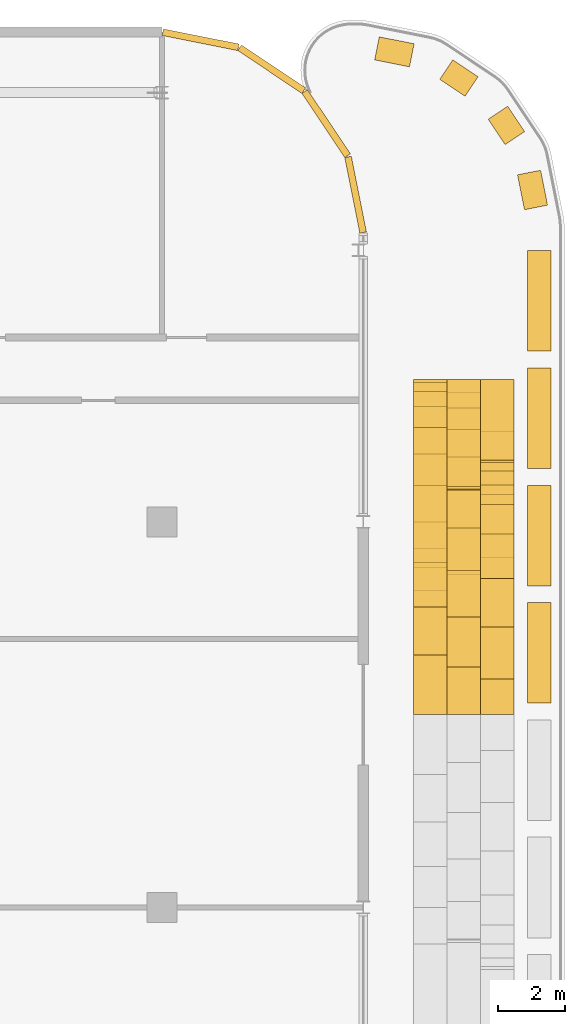
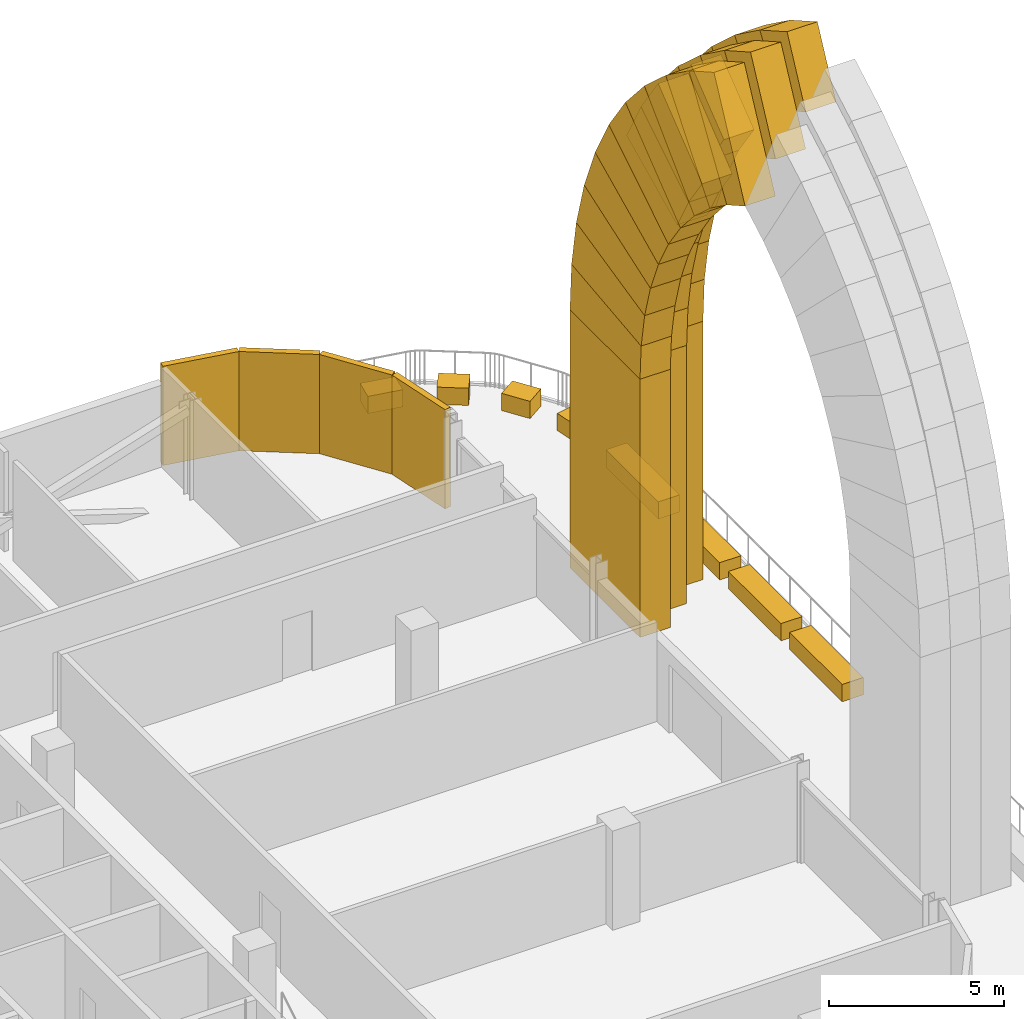
# One storey, part 30 of 30: 45 coverings.
"""IFC4 building model written with IfcOpenShell, lengths in metres."""

from ifc_helpers import new_model, si_unit, direction, frame, origin, origin_2d, place, context, subcontext, project, spatial, polyline, rectangle, outline, extrude, material, layer, layer_set, type_object, element, save


model = new_model("IFC4")

# Units and contexts
model_context = context("Model", 3, precision=1e-05, world=origin(), true_north=direction((0.0, 1.0)))
body_context = subcontext(model_context, "Body", "Model", "MODEL_VIEW")
ifc_project = project(units=[si_unit("LENGTHUNIT", "METRE"), si_unit("AREAUNIT", "SQUARE_METRE"), si_unit("VOLUMEUNIT", "CUBIC_METRE"), si_unit("PLANEANGLEUNIT", "RADIAN"), si_unit("MASSUNIT", "GRAM", prefix="KILO")], contexts=[model_context])

# Site, building, storey
site_placement = place(None, origin())
site = spatial("IfcSite", under=ifc_project, at=site_placement, CompositionType="ELEMENT")
building_placement = place(site_placement, origin())
building = spatial("IfcBuilding", under=site, at=building_placement, Name="Mahtab Terrace Research Tower", CompositionType="ELEMENT")
storey_placement = place(building_placement, frame((0.0, 0.0, 263.300048828125)))
storey = spatial("IfcBuildingStorey", under=building, at=storey_placement, Name="L64", CompositionType="ELEMENT", Elevation=263.300048828125)

# Coverings
ifc_material_1 = material(Name="Black aluminium cladding panel", Category="aluminium")
ifc_layer_1 = layer(ifc_material_1, 0.199951171875)
ifc_layer_set_1 = layer_set([ifc_layer_1], Name="Black metal corner cladding 200")
covering_type_1 = type_object("IfcCoveringType", Name="Black metal corner cladding 200", PredefinedType="CLADDING", material=ifc_layer_set_1)
for number, where, z_axis, x_axis, name in (
    (1, (46.89306640625, 23.381591796875, 0.0), (0.0, 0.0, 1.0), (-0.555291490808, 0.831655794326, 0.0), "Corner cladding L64 0"),
    (2, (45.26953125, 25.0048828125, 0.0), (0.0, 0.0, 1.0), (-0.831655794326, 0.555291490808, 0.0), "Corner cladding L64 1"),
    (3, (43.14794921875, 25.883544921875, 0.0), (0.0, 0.0, 1.0), (-0.980760981187, 0.195212442692, 0.0), "Corner cladding L64 2"),
    (4, (47.771484375, 21.260009765625, 0.0), (0.0, 0.0, 1.0), (-0.195212442692, 0.980760981187, 0.0), "Corner cladding L64 26"),
):
    element("IfcCovering", number, at=place(storey_placement, frame(where, z_axis=z_axis, x_axis=x_axis)), inside=storey, type_object=covering_type_1, Name=name, PredefinedType="CLADDING", context=body_context, shape_type="SweptSolid", body=[
        extrude(rectangle(XDim=2.30126953125, YDim=0.199951171875, at=origin_2d()), origin(), (0.0, 0.0, 1.0), 3.4599609375),
    ])
ifc_material_2 = material(Name="Glazed ceramic tile cladding", Category="masonry")
ifc_layer_2 = layer(ifc_material_2, 1.0)
ifc_layer_set_2 = layer_set([ifc_layer_2], Name="Iwan portal cladding arch course 800")
covering_type_2 = type_object("IfcCoveringType", Name="Iwan portal cladding arch course 800", PredefinedType="CLADDING", material=ifc_layer_set_2)
covering_1_placement = place(storey_placement, frame((49.5, 11.75, 9.030029296875), z_axis=(-1.0, 0.0, 0.0), x_axis=(0.0, -0.054985017031, 0.998487179638)))
element("IfcCovering", 5, at=covering_1_placement, inside=storey, type_object=covering_type_2, Name="Iwan portal arch course 7.1.1E1", PredefinedType="CLADDING", context=body_context, shape_type="SweptSolid", body=[
    extrude(outline(polyline([(0.0, 0.0), (1.1988351065344451, 0.0), (1.4224788276243772, 3.993191550924247), (-0.21994006812347563, 3.993948718553337), (0.0, 0.0)])), origin(), (0.0, 0.0, -1.0), 1.0),
])
covering_2_placement = place(storey_placement, frame((49.5, 11.68408203125, 10.22705078125), z_axis=(-1.0, 0.0, 0.0), x_axis=(0.0, -0.166150874454, 0.98610034323)))
element("IfcCovering", 6, at=covering_2_placement, inside=storey, type_object=covering_type_2, Name="Iwan portal arch course 7.1.1E2", PredefinedType="CLADDING", context=body_context, shape_type="SweptSolid", body=[
    extrude(outline(polyline([(0.0, 0.0), (1.197553789766393, 0.0), (1.4181135708206742, 3.994017136573441), (-0.2237100498928522, 3.9931878355435124), (0.0, 0.0)])), origin(), (0.0, 0.0, -1.0), 1.0),
])
covering_3_placement = place(storey_placement, frame((49.5, 11.485107421875, 11.407958984375), z_axis=(-1.0, 0.0, 0.0), x_axis=(0.0, -0.27445221207, 0.961600740063)))
element("IfcCovering", 7, at=covering_3_placement, inside=storey, type_object=covering_type_2, Name="Iwan portal arch course 7.1.1E3", PredefinedType="CLADDING", context=body_context, shape_type="SweptSolid", body=[
    extrude(outline(polyline([(0.0, 0.0), (1.199121552047934, -5.551115123125783e-17), (1.4190565511190025, 3.9947634671425267), (-0.2236030718774017, 3.9938479152952238), (0.0, 0.0)])), origin(), (0.0, 0.0, -1.0), 1.0),
])
covering_4_placement = place(storey_placement, frame((49.5, 11.156005859375, 12.56103515625), z_axis=(-1.0, 0.0, 0.0), x_axis=(0.0, -0.378966025683, 0.925410585296)))
element("IfcCovering", 8, at=covering_4_placement, inside=storey, type_object=covering_type_2, Name="Iwan portal arch course 7.1.1E4", PredefinedType="CLADDING", context=body_context, shape_type="SweptSolid", body=[
    extrude(outline(polyline([(0.0, 0.0), (1.1982645718225517, -5.551115123125783e-17), (1.4201917156444848, 3.9940794424534234), (-0.2225640464640124, 3.9946178549962124), (0.0, 0.0)])), origin(), (0.0, 0.0, -1.0), 1.0),
])
covering_5_placement = place(storey_placement, frame((49.5, 10.701904296875, 13.669921875), z_axis=(-1.0, 0.0, 0.0), x_axis=(0.0, -0.478952042529, 0.877841068165)))
element("IfcCovering", 9, at=covering_5_placement, inside=storey, type_object=covering_type_2, Name="Iwan portal arch course 7.1.1E5", PredefinedType="CLADDING", context=body_context, shape_type="SweptSolid", body=[
    extrude(outline(polyline([(0.0, 0.0), (1.1983968297629959, 0.0), (1.4202998293334266, 3.994376096565172), (-0.22100012408733938, 3.9941308434936618), (0.0, 0.0)])), origin(), (0.0, 0.0, -1.0), 1.0),
])
covering_6_placement = place(storey_placement, frame((49.5, 10.1279296875, 14.721923828125), z_axis=(-1.0, 0.0, 0.0), x_axis=(0.0, -0.573270912999, 0.819365889154)))
element("IfcCovering", 10, at=covering_6_placement, inside=storey, type_object=covering_type_2, Name="Iwan portal arch course 7.1.1E6", PredefinedType="CLADDING", context=body_context, shape_type="SweptSolid", body=[
    extrude(outline(polyline([(0.0, 0.0), (1.1984067273820767, 1.1102230246251565e-16), (1.4210686151577359, 3.994143713161765), (-0.22205539999335344, 3.9943676272175255), (0.0, 0.0)])), origin(), (0.0, 0.0, -1.0), 1.0),
])
covering_7_placement = place(storey_placement, frame((49.5, 9.44091796875, 15.703857421875), z_axis=(-1.0, 0.0, 0.0), x_axis=(0.0, -0.660563628093, 0.750770066825)))
element("IfcCovering", 11, at=covering_7_placement, inside=storey, type_object=covering_type_2, Name="Iwan portal arch course 7.1.1E7", PredefinedType="CLADDING", context=body_context, shape_type="SweptSolid", body=[
    extrude(outline(polyline([(0.0, 0.0), (1.1989642690229376, 0.0), (1.4208619727254268, 3.9940701767119156), (-0.22145580088595218, 3.9942107663356263), (0.0, 0.0)])), origin(), (0.0, 0.0, -1.0), 1.0),
])
covering_8_placement = place(storey_placement, frame((49.5, 8.64892578125, 16.60400390625), z_axis=(-1.0, 0.0, 0.0), x_axis=(0.0, -0.739746345725, 0.672885832802)))
element("IfcCovering", 12, at=covering_8_placement, inside=storey, type_object=covering_type_2, Name="Iwan portal arch course 7.1.1E8", PredefinedType="CLADDING", context=body_context, shape_type="SweptSolid", body=[
    extrude(outline(polyline([(0.0, 0.0), (1.197689361015028, 1.1102230246251565e-16), (1.4199871494725709, 3.9938323329420555), (-0.22239538029747208, 3.994042496297496), (0.0, 0.0)])), origin(), (0.0, 0.0, -1.0), 1.0),
])
covering_9_placement = place(storey_placement, frame((49.5, 7.762939453125, 17.409912109375), z_axis=(-1.0, 0.0, 0.0), x_axis=(0.0, -0.809932113465, 0.586523632582)))
element("IfcCovering", 13, at=covering_9_placement, inside=storey, type_object=covering_type_2, Name="Iwan portal arch course 7.1.1E9", PredefinedType="CLADDING", context=body_context, shape_type="SweptSolid", body=[
    extrude(outline(polyline([(0.0, 0.0), (1.1988008000704973, 0.0), (1.419703381644306, 3.9946874509527515), (-0.2228459462642176, 3.9938017845957376), (0.0, 0.0)])), origin(), (0.0, 0.0, -1.0), 1.0),
])
covering_10_placement = place(storey_placement, frame((49.5, 6.7919921875, 18.113037109375), z_axis=(-1.0, 0.0, 0.0), x_axis=(0.0, -0.869544052261, 0.493855384883)))
element("IfcCovering", 14, at=covering_10_placement, inside=storey, type_object=covering_type_2, Name="Iwan portal arch course 7.1.1E10", PredefinedType="CLADDING", context=body_context, shape_type="SweptSolid", body=[
    extrude(outline(polyline([(0.0, 0.0), (1.1983201826184857, 0.0), (1.4216923251785247, 3.993695624775858), (-0.21992912827120636, 3.9947411630646656), (0.0, 0.0)])), origin(), (0.0, 0.0, -1.0), 1.0),
])
covering_11_placement = place(storey_placement, frame((50.5, 12.550048828125, 9.030029296875), z_axis=(-1.0, 0.0, 0.0), x_axis=(0.0, -0.055191226399, 0.998475802676)))
element("IfcCovering", 15, at=covering_11_placement, inside=storey, type_object=covering_type_2, Name="Iwan portal arch course 7.1.2E1", PredefinedType="CLADDING", context=body_context, shape_type="SweptSolid", body=[
    extrude(outline(polyline([(0.0, 0.0), (1.3580269322667167, 0.0), (1.536962013624163, 3.1946766047444584), (-0.17660922959347186, 3.1950738148604), (0.0, 0.0)])), origin(), (0.0, 0.0, -1.0), 1.0),
])
covering_12_placement = place(storey_placement, frame((50.5, 12.47509765625, 10.385986328125), z_axis=(-1.0, 0.0, 0.0), x_axis=(0.0, -0.166379947434, 0.986061718703)))
element("IfcCovering", 16, at=covering_12_placement, inside=storey, type_object=covering_type_2, Name="Iwan portal arch course 7.1.2E2", PredefinedType="CLADDING", context=body_context, shape_type="SweptSolid", body=[
    extrude(outline(polyline([(0.0, 0.0), (1.3587828475505148, 0.0), (1.5336205499310798, 3.195702399212898), (-0.17904420808999094, 3.194670490643973), (0.0, 0.0)])), origin(), (0.0, 0.0, -1.0), 1.0),
])
covering_13_placement = place(storey_placement, frame((50.5, 12.2490234375, 11.725830078125), z_axis=(-1.0, 0.0, 0.0), x_axis=(0.0, -0.273961282228, 0.961740721733)))
element("IfcCovering", 17, at=covering_13_placement, inside=storey, type_object=covering_type_2, Name="Iwan portal arch course 7.1.2E3", PredefinedType="CLADDING", context=body_context, shape_type="SweptSolid", body=[
    extrude(outline(polyline([(0.0, 0.0), (1.358112757663172, 0.0), (1.535557291409583, 3.1947682403449686), (-0.17816324112717452, 3.195518722526884), (0.0, 0.0)])), origin(), (0.0, 0.0, -1.0), 1.0),
])
covering_14_placement = place(storey_placement, frame((50.5, 11.876953125, 13.031982421875), z_axis=(-1.0, 0.0, 0.0), x_axis=(0.0, -0.378415838613, 0.925635702146)))
element("IfcCovering", 18, at=covering_14_placement, inside=storey, type_object=covering_type_2, Name="Iwan portal arch course 7.1.2E4", PredefinedType="CLADDING", context=body_context, shape_type="SweptSolid", body=[
    extrude(outline(polyline([(0.0, 0.0), (1.3580721607980304, 0.0), (1.5376096745140528, 3.194405582655918), (-0.17618047584585084, 3.1948381980945597), (0.0, 0.0)])), origin(), (0.0, 0.0, -1.0), 1.0),
])
covering_15_placement = place(storey_placement, frame((50.5, 11.363037109375, 14.2890625), z_axis=(-1.0, 0.0, 0.0), x_axis=(0.0, -0.47941878879, 0.877586249297)))
element("IfcCovering", 19, at=covering_15_placement, inside=storey, type_object=covering_type_2, Name="Iwan portal arch course 7.1.2E5", PredefinedType="CLADDING", context=body_context, shape_type="SweptSolid", body=[
    extrude(outline(polyline([(0.0, 0.0), (1.3581508737233285, 1.1102230246251565e-16), (1.535112282874346, 3.194936984609274), (-0.1783195243449227, 3.1944738052724784), (0.0, 0.0)])), origin(), (0.0, 0.0, -1.0), 1.0),
])
covering_16_placement = place(storey_placement, frame((50.5, 10.7119140625, 15.48095703125), z_axis=(-1.0, 0.0, 0.0), x_axis=(0.0, -0.573305531521, 0.819341667149)))
element("IfcCovering", 20, at=covering_16_placement, inside=storey, type_object=covering_type_2, Name="Iwan portal arch course 7.1.2E6", PredefinedType="CLADDING", context=body_context, shape_type="SweptSolid", body=[
    extrude(outline(polyline([(0.0, 0.0), (1.3584529555876084, 0.0), (1.5359713438313862, 3.1948105649984546), (-0.17657538685367147, 3.194958342249612), (0.0, 0.0)])), origin(), (0.0, 0.0, -1.0), 1.0),
])
covering_17_placement = place(storey_placement, frame((50.5, 9.93310546875, 16.593994140625), z_axis=(-1.0, 0.0, 0.0), x_axis=(0.0, -0.660818389462, 0.750545838806)))
element("IfcCovering", 21, at=covering_17_placement, inside=storey, type_object=covering_type_2, Name="Iwan portal arch course 7.1.2E7", PredefinedType="CLADDING", context=body_context, shape_type="SweptSolid", body=[
    extrude(outline(polyline([(0.0, 0.0), (1.357735818468913, 0.0), (1.5352853241044477, 3.195452847428281), (-0.17866535662826277, 3.1947466276265644), (0.0, 0.0)])), origin(), (0.0, 0.0, -1.0), 1.0),
])
covering_18_placement = place(storey_placement, frame((50.5, 9.035888671875, 17.613037109375), z_axis=(-1.0, 0.0, 0.0), x_axis=(0.0, -0.739834331343, 0.67278909189)))
element("IfcCovering", 22, at=covering_18_placement, inside=storey, type_object=covering_type_2, Name="Iwan portal arch course 7.1.2E8", PredefinedType="CLADDING", context=body_context, shape_type="SweptSolid", body=[
    extrude(outline(polyline([(0.0, 0.0), (1.3582538278203846, 0.0), (1.5351356474983595, 3.195512884282427), (-0.17724034614618045, 3.195470010309424), (0.0, 0.0)])), origin(), (0.0, 0.0, -1.0), 1.0),
])
covering_19_placement = place(storey_placement, frame((50.5, 8.031005859375, 18.52685546875), z_axis=(-1.0, 0.0, 0.0), x_axis=(0.0, -0.809768404787, 0.586749631964)))
element("IfcCovering", 23, at=covering_19_placement, inside=storey, type_object=covering_type_2, Name="Iwan portal arch course 7.1.2E9", PredefinedType="CLADDING", context=body_context, shape_type="SweptSolid", body=[
    extrude(outline(polyline([(0.0, 0.0), (1.3585336866038626, 1.1102230246251565e-16), (1.536129800785865, 3.1955927908765984), (-0.17796733419989197, 3.1954526126521383), (0.0, 0.0)])), origin(), (0.0, 0.0, -1.0), 1.0),
])
covering_20_placement = place(storey_placement, frame((50.5, 6.930908203125, 19.323974609375), z_axis=(-1.0, 0.0, 0.0), x_axis=(0.0, -0.86947936813, 0.493969258553)))
element("IfcCovering", 24, at=covering_20_placement, inside=storey, type_object=covering_type_2, Name="Iwan portal arch course 7.1.2E10", PredefinedType="CLADDING", context=body_context, shape_type="SweptSolid", body=[
    extrude(outline(polyline([(0.0, 0.0), (1.3581785220094809, 0.0), (1.5373747639034314, 3.19438213709835), (-0.17553055532321005, 3.19570691538241), (0.0, 0.0)])), origin(), (0.0, 0.0, -1.0), 1.0),
])
covering_21_placement = place(storey_placement, frame((51.5, 13.35009765625, 9.030029296875), z_axis=(-1.0, 0.0, 0.0), x_axis=(0.0, -0.055318610266, 0.998468753321)))
element("IfcCovering", 25, at=covering_21_placement, inside=storey, type_object=covering_type_2, Name="Iwan portal arch course 7.1.3E1", PredefinedType="CLADDING", context=body_context, shape_type="SweptSolid", body=[
    extrude(outline(polyline([(0.0, 0.0), (1.5181938699465614, 0.0), (1.6519777459329505, 2.395834977448435), (-0.13275926243067587, 2.396227501256007), (0.0, 0.0)])), origin(), (0.0, 0.0, -1.0), 1.0),
])
covering_22_placement = place(storey_placement, frame((51.5, 13.26611328125, 10.5458984375), z_axis=(-1.0, 0.0, 0.0), x_axis=(0.0, -0.166119871209, 0.986105566554)))
element("IfcCovering", 26, at=covering_22_placement, inside=storey, type_object=covering_type_2, Name="Iwan portal arch course 7.1.3E2", PredefinedType="CLADDING", context=body_context, shape_type="SweptSolid", body=[
    extrude(outline(polyline([(0.0, 0.0), (1.5181643459644198, 0.0), (1.6500058731711127, 2.396260634549468), (-0.13374117051284962, 2.3958373617483173), (0.0, 0.0)])), origin(), (0.0, 0.0, -1.0), 1.0),
])
covering_23_placement = place(storey_placement, frame((51.5, 13.013916015625, 12.04296875), z_axis=(-1.0, 0.0, 0.0), x_axis=(0.0, -0.274041357069, 0.961717908025)))
element("IfcCovering", 27, at=covering_23_placement, inside=storey, type_object=covering_type_2, Name="Iwan portal arch course 7.1.3E3", PredefinedType="CLADDING", context=body_context, shape_type="SweptSolid", body=[
    extrude(outline(polyline([(0.0, 0.0), (1.5180760650474732, -5.551115123125783e-17), (1.6504569233223965, 2.3960708406005846), (-0.13368816842764542, 2.3961583191872093), (0.0, 0.0)])), origin(), (0.0, 0.0, -1.0), 1.0),
])
covering_24_placement = place(storey_placement, frame((51.5, 12.597900390625, 13.5029296875), z_axis=(-1.0, 0.0, 0.0), x_axis=(0.0, -0.378726772963, 0.925508525861)))
element("IfcCovering", 28, at=covering_24_placement, inside=storey, type_object=covering_type_2, Name="Iwan portal arch course 7.1.3E4", PredefinedType="CLADDING", context=body_context, shape_type="SweptSolid", body=[
    extrude(outline(polyline([(0.0, 0.0), (1.5181159952775325, 0.0), (1.651622750133583, 2.3960392670320374), (-0.13343843854673565, 2.396012176081792), (0.0, 0.0)])), origin(), (0.0, 0.0, -1.0), 1.0),
])
covering_25_placement = place(storey_placement, frame((51.5, 12.02294921875, 14.907958984375), z_axis=(-1.0, 0.0, 0.0), x_axis=(0.0, -0.47910009193, 0.87776027588)))
element("IfcCovering", 29, at=covering_25_placement, inside=storey, type_object=covering_type_2, Name="Iwan portal arch course 7.1.3E5", PredefinedType="CLADDING", context=body_context, shape_type="SweptSolid", body=[
    extrude(outline(polyline([(0.0, 0.0), (1.517534213615231, 0.0), (1.6508916407475462, 2.395818212997516), (-0.13323016868414328, 2.3960546623364025), (0.0, 0.0)])), origin(), (0.0, 0.0, -1.0), 1.0),
])
covering_26_placement = place(storey_placement, frame((51.5, 11.2958984375, 16.239990234375), z_axis=(-1.0, 0.0, 0.0), x_axis=(0.0, -0.57351629746, 0.819194150704)))
element("IfcCovering", 30, at=covering_26_placement, inside=storey, type_object=covering_type_2, Name="Iwan portal arch course 7.1.3E6", PredefinedType="CLADDING", context=body_context, shape_type="SweptSolid", body=[
    extrude(outline(polyline([(0.0, 0.0), (1.5184391676946016, 0.0), (1.6512265218094941, 2.396402123501354), (-0.1332429740215879, 2.3958245810108556), (0.0, 0.0)])), origin(), (0.0, 0.0, -1.0), 1.0),
])
covering_27_placement = place(storey_placement, frame((51.5, 10.425048828125, 17.48388671875), z_axis=(-1.0, 0.0, 0.0), x_axis=(0.0, -0.660801933765, 0.750560326911)))
element("IfcCovering", 31, at=covering_27_placement, inside=storey, type_object=covering_type_2, Name="Iwan portal arch course 7.1.3E7", PredefinedType="CLADDING", context=body_context, shape_type="SweptSolid", body=[
    extrude(outline(polyline([(0.0, 0.0), (1.5177462962090775, -1.1102230246251565e-16), (1.6502444362402648, 2.396199829207315), (-0.13371195314693618, 2.39635071150286), (0.0, 0.0)])), origin(), (0.0, 0.0, -1.0), 1.0),
])
covering_28_placement = place(storey_placement, frame((51.5, 9.422119140625, 18.623046875), z_axis=(-1.0, 0.0, 0.0), x_axis=(0.0, -0.739313780939, 0.673361072021)))
element("IfcCovering", 32, at=covering_28_placement, inside=storey, type_object=covering_type_2, Name="Iwan portal arch course 7.1.3E8", PredefinedType="CLADDING", context=body_context, shape_type="SweptSolid", body=[
    extrude(outline(polyline([(0.0, 0.0), (1.5177186486027403, 1.1102230246251565e-16), (1.6528563524007507, 2.3952210587785085), (-0.13174636410558938, 2.3962412804535873), (0.0, 0.0)])), origin(), (0.0, 0.0, -1.0), 1.0),
])
covering_29_placement = place(storey_placement, frame((51.5, 8.300048828125, 19.64501953125), z_axis=(-1.0, 0.0, 0.0), x_axis=(0.0, -0.809881552123, 0.586593446546)))
element("IfcCovering", 33, at=covering_29_placement, inside=storey, type_object=covering_type_2, Name="Iwan portal arch course 7.1.3E9", PredefinedType="CLADDING", context=body_context, shape_type="SweptSolid", body=[
    extrude(outline(polyline([(0.0, 0.0), (1.5187164907330124, 0.0), (1.6506040815171623, 2.3962788196958544), (-0.13317244998767053, 2.3953311290859394), (0.0, 0.0)])), origin(), (0.0, 0.0, -1.0), 1.0),
])
covering_30_placement = place(storey_placement, frame((51.5, 7.070068359375, 20.535888671875), z_axis=(-1.0, 0.0, 0.0), x_axis=(0.0, -0.869743763792, 0.493503581896)))
element("IfcCovering", 34, at=covering_30_placement, inside=storey, type_object=covering_type_2, Name="Iwan portal arch course 7.1.3E10", PredefinedType="CLADDING", context=body_context, shape_type="SweptSolid", body=[
    extrude(outline(polyline([(0.0, 0.0), (1.5177669726764123, 0.0), (1.6509470991389814, 2.3965927687024227), (-0.13372466196725086, 2.396177003709774), (0.0, 0.0)])), origin(), (0.0, 0.0, -1.0), 1.0),
])
ifc_layer_3 = layer(ifc_material_2, 1.0)
ifc_layer_set_3 = layer_set([ifc_layer_3], Name="Iwan portal cladding pilaster 900")
covering_type_3 = type_object("IfcCoveringType", Name="Iwan portal cladding pilaster 900", PredefinedType="CLADDING", material=ifc_layer_set_3)
covering_31_placement = place(storey_placement, frame((50.0, 13.75, 0.030029296875), z_axis=(0.0, 0.0, 1.0), x_axis=(0.0, 1.0, 0.0)))
element("IfcCovering", 35, at=covering_31_placement, inside=storey, type_object=covering_type_3, Name="Iwan portal pilaster 7.1.1E", PredefinedType="CLADDING", context=body_context, shape_type="SweptSolid", body=[
    extrude(rectangle(XDim=4.0, YDim=1.0, at=origin_2d()), origin(), (0.0, 0.0, 1.0), 9.0),
])
covering_32_placement = place(storey_placement, frame((51.0, 14.14990234375, 0.030029296875), z_axis=(0.0, 0.0, 1.0), x_axis=(0.0, 1.0, 0.0)))
element("IfcCovering", 36, at=covering_32_placement, inside=storey, type_object=covering_type_3, Name="Iwan portal pilaster 7.1.2E", PredefinedType="CLADDING", context=body_context, shape_type="SweptSolid", body=[
    extrude(rectangle(XDim=3.199951171875, YDim=1.0, at=origin_2d()), origin(), (0.0, 0.0, 1.0), 9.0),
])
covering_33_placement = place(storey_placement, frame((52.0, 14.550048828125, 0.030029296875), z_axis=(0.0, 0.0, 1.0), x_axis=(0.0, 1.0, 0.0)))
element("IfcCovering", 37, at=covering_33_placement, inside=storey, type_object=covering_type_3, Name="Iwan portal pilaster 7.1.3E", PredefinedType="CLADDING", context=body_context, shape_type="SweptSolid", body=[
    extrude(rectangle(XDim=2.39990234375, YDim=1.0, at=origin_2d()), origin(), (0.0, 0.0, 1.0), 9.0),
])
ifc_material_3 = material(Name="Planting soil and shrubs")
ifc_layer_4 = layer(ifc_material_3, 0.1201171875)
ifc_layer_set_4 = layer_set([ifc_layer_4], Name="Planter")
covering_type_4 = type_object("IfcCoveringType", Name="Planter", PredefinedType="USERDEFINED", material=ifc_layer_set_4)
for number, where, z_axis, x_axis, name in (
    (38, (53.25, 7.5927734375, 0.02978515625), (0.0, 0.0, 1.0), (0.0, 1.0, 0.0), "PLANTER terrace 7"),
    (39, (53.25, 11.0927734375, 0.02978515625), (0.0, 0.0, 1.0), (0.0, 1.0, 0.0), "PLANTER terrace 7"),
    (40, (53.25, 14.5927734375, 0.02978515625), (0.0, 0.0, 1.0), (0.0, 1.0, 0.0), "PLANTER terrace 7"),
    (41, (53.25, 18.0927734375, 0.02978515625), (0.0, 0.0, 1.0), (0.0, 1.0, 0.0), "PLANTER terrace 7"),
):
    element("IfcCovering", number, at=place(storey_placement, frame(where, z_axis=z_axis, x_axis=x_axis)), inside=storey, type_object=covering_type_4, Name=name, ObjectType="PLANTER", PredefinedType="USERDEFINED", context=body_context, shape_type="SweptSolid", body=[
        extrude(rectangle(XDim=3.0, YDim=0.699951171875, at=origin_2d()), origin(), (0.0, 0.0, 1.0), 0.60009765625),
    ])
covering_34_placement = place(storey_placement, frame((53.05029296875, 21.401123046875, 0.02978515625), z_axis=(0.0, 0.0, 1.0), x_axis=(-0.195303993071, 0.980742754391, 0.0)))
element("IfcCovering", 42, at=covering_34_placement, inside=storey, type_object=covering_type_4, Name="PLANTER terrace 7", ObjectType="PLANTER", PredefinedType="USERDEFINED", context=body_context, shape_type="SweptSolid", body=[
    extrude(rectangle(XDim=1.060546875, YDim=0.699951171875, at=origin_2d()), origin(), (0.0, 0.0, 1.0), 0.60009765625),
])
for number, where, z_axis, x_axis, name in (
    (43, (52.268798828125, 23.32666015625, 0.02978515625), (0.0, 0.0, 1.0), (-0.555757494231, 0.831344457855, 0.0), "PLANTER terrace 7"),
    (44, (50.853759765625, 24.741943359375, 0.02978515625), (0.0, 0.0, 1.0), (-0.831344457855, 0.555757494231, 0.0), "PLANTER terrace 7"),
):
    element("IfcCovering", number, at=place(storey_placement, frame(where, z_axis=z_axis, x_axis=x_axis)), inside=storey, type_object=covering_type_4, Name=name, ObjectType="PLANTER", PredefinedType="USERDEFINED", context=body_context, shape_type="SweptSolid", body=[
        extrude(rectangle(XDim=0.908447265625, YDim=0.699951171875, at=origin_2d()), origin(), (0.0, 0.0, 1.0), 0.60009765625),
    ])
covering_35_placement = place(storey_placement, frame((48.92822265625, 25.523193359375, 0.02978515625), z_axis=(0.0, 0.0, 1.0), x_axis=(-0.980742754391, 0.195303993071, 0.0)))
element("IfcCovering", 45, at=covering_35_placement, inside=storey, type_object=covering_type_4, Name="PLANTER terrace 7", ObjectType="PLANTER", PredefinedType="USERDEFINED", context=body_context, shape_type="SweptSolid", body=[
    extrude(rectangle(XDim=1.060546875, YDim=0.699951171875, at=origin_2d()), origin(), (0.0, 0.0, 1.0), 0.60009765625),
])

save(model, "model.ifc")
